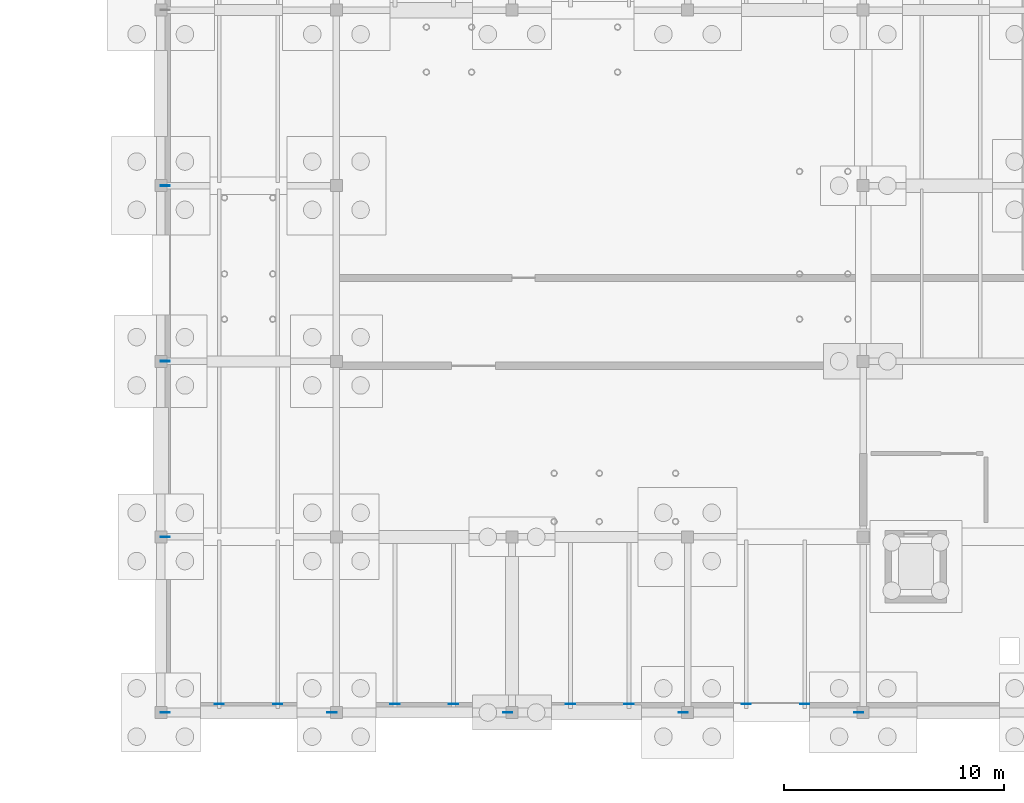
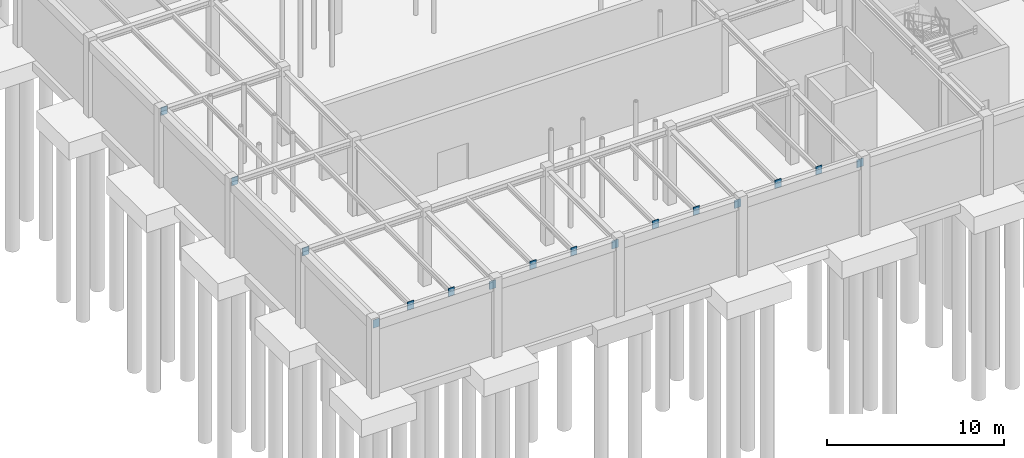
# One storey, part 33 of 71: 16 plates.
"""IFC4 building model written with IfcOpenShell, lengths in metres."""

from ifc_helpers import new_model, si_unit, direction, frame, origin, origin_2d, place, context, subcontext, project, spatial, rectangle, extrude, material, layer, layer_set, type_object, element, save


model = new_model("IFC4")

# Units and contexts
model_context = context("Model", 3, precision=1e-05, world=origin(), true_north=direction((0.0, 1.0)))
body_context = subcontext(model_context, "Body", "Model", "MODEL_VIEW")
ifc_project = project(units=[si_unit("LENGTHUNIT", "METRE"), si_unit("AREAUNIT", "SQUARE_METRE"), si_unit("VOLUMEUNIT", "CUBIC_METRE"), si_unit("PLANEANGLEUNIT", "RADIAN"), si_unit("MASSUNIT", "GRAM", prefix="KILO")], contexts=[model_context])

# Site, building, storey
site_placement = place(None, origin())
site = spatial("IfcSite", under=ifc_project, at=site_placement, CompositionType="ELEMENT")
building_placement = place(site_placement, origin())
building = spatial("IfcBuilding", under=site, at=building_placement, Name="Sundkrona Museum", CompositionType="ELEMENT")
storey_placement = place(building_placement, frame((0.0, 0.0, -5.39990234375)))
storey = spatial("IfcBuildingStorey", under=building, at=storey_placement, Name="B1", CompositionType="ELEMENT", Elevation=-5.39990234375)

# Plates
ifc_material = material(Name="Steel S355J2", Category="steel")
ifc_layer = layer(ifc_material, 0.034912109375)
ifc_layer_set = layer_set([ifc_layer], Name="Steel S355J2")
plate_type = type_object("IfcPlateType", Name="EP-1", PredefinedType="USERDEFINED", material=ifc_layer_set)
for number, where, z_axis, x_axis, name in (
    (1, (80.199951171875, 0.0, 4.534912109375), (0.0, 0.0, 1.0), (1.0, 0.0, 0.0), "Structural Wall Cast-In Embed Plate BM-B1-X-0001-1"),
    (2, (87.800048828125, 0.0, 4.534912109375), (0.0, 0.0, 1.0), (1.0, 0.0, 0.0), "Structural Wall Cast-In Embed Plate BM-B1-X-0001-2"),
    (3, (95.800048828125, 0.0, 4.534912109375), (0.0, 0.0, 1.0), (1.0, 0.0, 0.0), "Structural Wall Cast-In Embed Plate BM-B1-X-0002-2"),
    (4, (103.800048828125, 0.0, 4.534912109375), (0.0, 0.0, 1.0), (1.0, 0.0, 0.0), "Structural Wall Cast-In Embed Plate BM-B1-X-0003-2"),
    (5, (111.800048828125, 0.0, 4.534912109375), (0.0, 0.0, 1.0), (1.0, 0.0, 0.0), "Structural Wall Cast-In Embed Plate BM-B1-X-0004-2"),
    (6, (80.199951171875, 8.0, 4.659912109375), (0.0, 0.0, 1.0), (1.0, 0.0, 0.0), "Structural Wall Cast-In Embed Plate BM-B1-X-0012-1"),
    (7, (80.199951171875, 16.0, 4.659912109375), (0.0, 0.0, 1.0), (1.0, 0.0, 0.0), "Structural Wall Cast-In Embed Plate BM-B1-X-0021-1"),
    (8, (80.199951171875, 24.0, 4.659912109375), (0.0, 0.0, 1.0), (1.0, 0.0, 0.0), "Structural Wall Cast-In Embed Plate BM-B1-X-0029-1"),
    (9, (82.666748046875, 0.385498046875, 4.679931640625), (0.0, 0.0, 1.0), (1.0, 0.0, 0.0), "Structural Wall Cast-In Embed Plate JS-B1-0096-1"),
    (10, (85.333251953125, 0.385498046875, 4.679931640625), (0.0, 0.0, 1.0), (1.0, 0.0, 0.0), "Structural Wall Cast-In Embed Plate JS-B1-0097-1"),
    (11, (90.666748046875, 0.385498046875, 4.679931640625), (0.0, 0.0, 1.0), (1.0, 0.0, 0.0), "Structural Wall Cast-In Embed Plate JS-B1-0122-1"),
    (12, (93.333251953125, 0.385498046875, 4.679931640625), (0.0, 0.0, 1.0), (1.0, 0.0, 0.0), "Structural Wall Cast-In Embed Plate JS-B1-0123-1"),
    (13, (98.666748046875, 0.385498046875, 4.679931640625), (0.0, 0.0, 1.0), (1.0, 0.0, 0.0), "Structural Wall Cast-In Embed Plate JS-B1-0142-1"),
    (14, (101.333251953125, 0.385498046875, 4.679931640625), (0.0, 0.0, 1.0), (1.0, 0.0, 0.0), "Structural Wall Cast-In Embed Plate JS-B1-0143-1"),
    (15, (106.666748046875, 0.385498046875, 4.679931640625), (0.0, 0.0, 1.0), (1.0, 0.0, 0.0), "Structural Wall Cast-In Embed Plate JS-B1-0146-1"),
    (16, (109.333251953125, 0.385498046875, 4.679931640625), (0.0, 0.0, 1.0), (1.0, 0.0, 0.0), "Structural Wall Cast-In Embed Plate JS-B1-0147-1"),
):
    element("IfcPlate", number, at=place(storey_placement, frame(where, z_axis=z_axis, x_axis=x_axis)), inside=storey, type_object=plate_type, Name=name, ObjectType="GUSSET PLATE", PredefinedType="USERDEFINED", context=body_context, shape_type="SweptSolid", body=[
        extrude(rectangle(XDim=0.419921875, YDim=0.034912109375, at=origin_2d()), origin(), (0.0, 0.0, 1.0), 0.56005859375),
    ])

save(model, "model.ifc")
